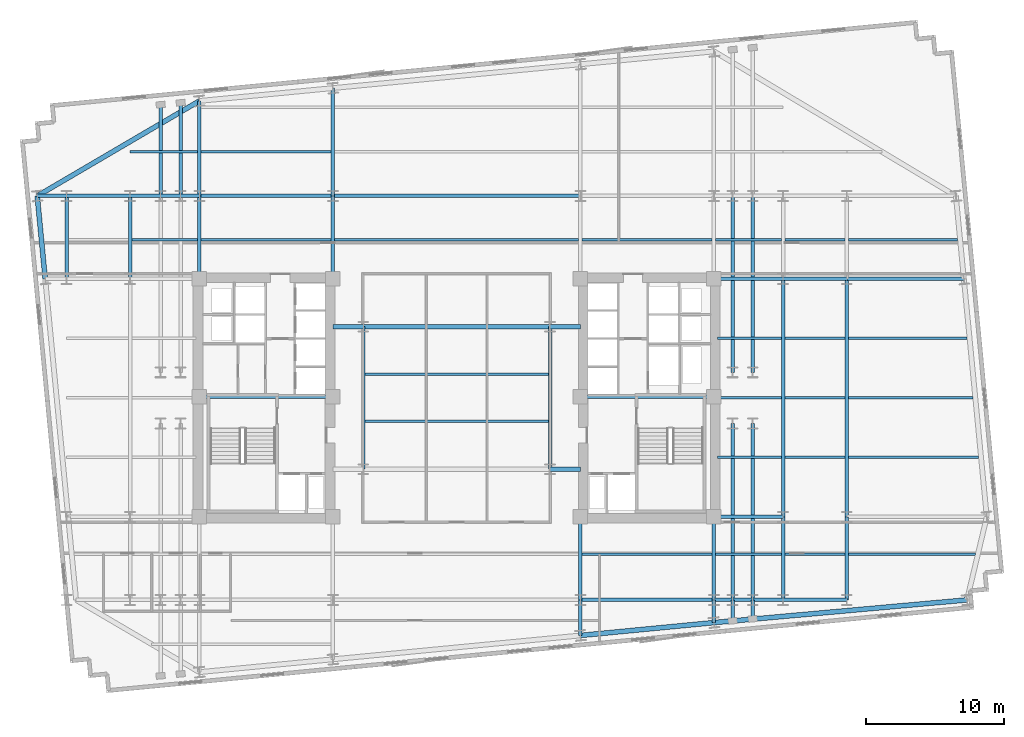
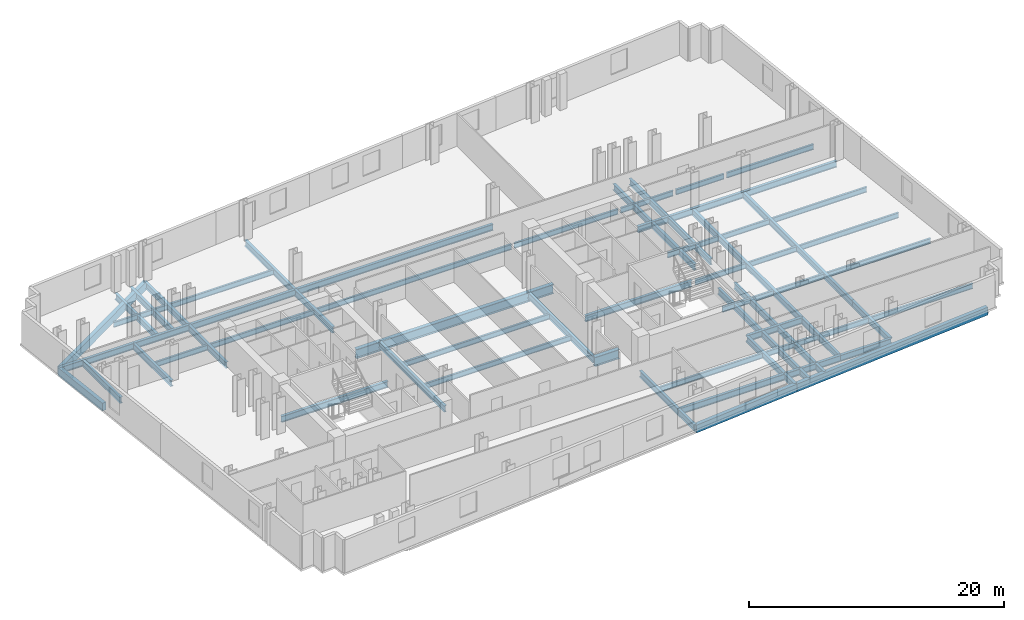
# One storey, part 2 of 10: 70 beams.
"""IFC4 building model written with IfcOpenShell, lengths in metres."""

import ifcopenshell
import ifcopenshell.guid

model = None  # the IFC model being written
_history = None  # IfcOwnerHistory: only IFC2X3 demands one
_inside = {}  # id of a spatial element -> (the spatial element, [elements in it])
_under = {}  # id of a project, library or spatial element -> (it, [spatial elements below it])
_declared = {}  # id of a project -> (the project, [libraries it declares])
_typed = {}  # id of a type object -> (the type object, [elements of that type])
_made_of = {}  # id of a material, layer set ... -> (it, [elements and type objects made of it])


def new_model(schema):
    """Start an empty IFC model of exactly this schema.

    Asked for "IFC4X3", IfcOpenShell would pick the latest addendum, in which some entities
    have other attributes; the version numbers below select the first issue.
    IFC2X3 requires an IfcOwnerHistory on every rooted entity: one is made here for all.
    """
    global model, _history
    if schema == "IFC4X3":
        model = ifcopenshell.file(schema_version=(4, 3, 0, 0))
    else:
        model = ifcopenshell.file(schema=schema)
    _inside.clear()
    _under.clear()
    _declared.clear()
    _typed.clear()
    _made_of.clear()
    _history = None
    if model.schema == "IFC2X3":
        org = make("IfcOrganization", Name="unknown")
        user = make(
            "IfcPersonAndOrganization",
            ThePerson=make("IfcPerson", FamilyName="unknown"),
            TheOrganization=org,
        )
        app = make(
            "IfcApplication",
            ApplicationDeveloper=org,
            Version="unknown",
            ApplicationFullName="unknown",
            ApplicationIdentifier="unknown",
        )
        _history = make(
            "IfcOwnerHistory",
            OwningUser=user,
            OwningApplication=app,
            ChangeAction="ADDED",
            CreationDate=0,
        )
    return model


def make(cls, **values):
    """One entity of the class cls with the attributes given. An attribute that is None is left unset."""
    return model.create_entity(
        cls, **{name: value for name, value in values.items() if value is not None}
    )


def rooted(cls, **values):
    """An entity with a GlobalId (a new one), such as an element, a storey or a relation."""
    return make(cls, GlobalId=ifcopenshell.guid.new(), OwnerHistory=_history, **values)


def si_unit(unit_type, name, prefix=None):
    """IfcSIUnit, for example si_unit("LENGTHUNIT", "METRE", prefix="MILLI")."""
    return make("IfcSIUnit", UnitType=unit_type, Prefix=prefix, Name=name)


def assignment(units):
    """IfcUnitAssignment: the units of a project."""
    return None if units is None else make("IfcUnitAssignment", Units=units)


def point(xyz):
    """IfcCartesianPoint."""
    return None if xyz is None else make("IfcCartesianPoint", Coordinates=xyz)


def direction(xyz):
    """IfcDirection."""
    return None if xyz is None else make("IfcDirection", DirectionRatios=xyz)


def frame(location, z_axis=None, x_axis=None):
    """IfcAxis2Placement3D, a coordinate frame: its origin and axes. An axis left out is left unset."""
    return make(
        "IfcAxis2Placement3D",
        Location=point(location),
        Axis=direction(z_axis),
        RefDirection=direction(x_axis),
    )


def frame_2d(location, x_axis=None):
    """IfcAxis2Placement2D, a coordinate frame in the plane: its origin and x axis."""
    return make(
        "IfcAxis2Placement2D", Location=point(location), RefDirection=direction(x_axis)
    )


def origin():
    """The frame at (0, 0, 0) with its axes left unset."""
    return frame((0.0, 0.0, 0.0))


def origin_2d():
    """The frame at (0, 0) in the plane with its x axis left unset."""
    return frame_2d((0.0, 0.0))


def place(relative_to, where):
    """IfcLocalPlacement: puts the frame where relative to a parent placement (None: the world)."""
    return make(
        "IfcLocalPlacement", PlacementRelTo=relative_to, RelativePlacement=where
    )


def context(
    kind, dimensions, precision=None, world=None, true_north=None, identifier=None
):
    """IfcGeometricRepresentationContext, for example the 3D "Model" context."""
    return make(
        "IfcGeometricRepresentationContext",
        ContextIdentifier=identifier,
        ContextType=kind,
        CoordinateSpaceDimension=dimensions,
        Precision=precision,
        WorldCoordinateSystem=world,
        TrueNorth=true_north,
    )


def subcontext(parent, identifier, kind, view, scale=None):
    """IfcGeometricRepresentationSubContext, for example "Body" below "Model"."""
    return make(
        "IfcGeometricRepresentationSubContext",
        ContextIdentifier=identifier,
        ContextType=kind,
        ParentContext=parent,
        TargetScale=scale,
        TargetView=view,
    )


def project(units=None, contexts=None):
    """IfcProject with its units and contexts."""
    return rooted(
        "IfcProject",
        Name="project",
        RepresentationContexts=contexts,
        UnitsInContext=assignment(units),
    )


def spatial(cls, under=None, at=None, **own):
    """A site, building, storey or space (cls), placed at a placement, below another one or the project."""
    s = rooted(cls, ObjectPlacement=at, **own)
    if under is not None:
        _under.setdefault(under.id(), (under, []))[1].append(s)
    return s


def profile(cls, at=None, kind="AREA", **sizes):
    """A parametric profile (cls). Its sizes go by their IFC names, for example OverallWidth=200.0."""
    return make(cls, ProfileType=kind, Position=at, **sizes)


def rectangle(**sizes):
    """IfcRectangleProfileDef."""
    return profile("IfcRectangleProfileDef", **sizes)


def i_section(**sizes):
    """IfcIShapeProfileDef."""
    return profile("IfcIShapeProfileDef", **sizes)


def extrude(swept, where, along, depth):
    """IfcExtrudedAreaSolid: the profile swept, set in the frame where, extruded along a direction by depth."""
    return make(
        "IfcExtrudedAreaSolid",
        SweptArea=swept,
        Position=where,
        ExtrudedDirection=direction(along),
        Depth=depth,
    )


def shape(context_of_items, identifier, shape_type, items):
    """IfcShapeRepresentation: the items that make up one representation, for example the "Body"."""
    return make(
        "IfcShapeRepresentation",
        ContextOfItems=context_of_items,
        RepresentationIdentifier=identifier,
        RepresentationType=shape_type,
        Items=items,
    )


def material(Name=None, Category=None):
    """IfcMaterial."""
    return make("IfcMaterial", Name=Name, Category=Category)


def material_profile(
    of_material, cross_section, Name=None, Category=None, Priority=None
):
    """IfcMaterialProfile: a cross section and its material."""
    return make(
        "IfcMaterialProfile",
        Name=Name,
        Material=of_material,
        Profile=cross_section,
        Priority=Priority,
        Category=Category,
    )


def profile_set(profiles, Name=None, composite=None):
    """IfcMaterialProfileSet."""
    return make(
        "IfcMaterialProfileSet",
        Name=Name,
        MaterialProfiles=profiles,
        CompositeProfile=composite,
    )


def made_of(thing, what):
    """Note that an element or type object is made of a material, layer set ...; save() writes the relation."""
    if what is not None:
        _made_of.setdefault(what.id(), (what, []))[1].append(thing)
    return thing


def type_object(cls, material=None, **own):
    """A type object (cls), such as IfcWallType, which elements share."""
    return made_of(rooted(cls, **own), material)


def element(
    cls,
    number,
    at=None,
    inside=None,
    cuts=None,
    type_object=None,
    material=None,
    context=None,
    identifier="Body",
    shape_type=None,
    held_by="IfcProductDefinitionShape",
    body=None,
    shapes=None,
    **own,
):
    """One element of the class cls, such as IfcWall. Its Tag is "e" and its number.

    at: its placement. inside: the storey or other place that contains it. cuts: it is an
    opening in that element (IfcRelVoidsElement). A single representation is given by context,
    identifier, shape_type and body (its items); several are given by shapes. held_by: the class
    of the entity that holds the representations. save() writes the other relations.
    """
    e = rooted(cls, Tag="e%d" % number, ObjectPlacement=at, **own)
    if body is not None:
        shapes = [shape(context, identifier, shape_type, body)]
    if shapes is not None:
        e.Representation = make(held_by, Representations=shapes)
    if inside is not None:
        _inside.setdefault(inside.id(), (inside, []))[1].append(e)
    if cuts is not None:
        rooted(
            "IfcRelVoidsElement", RelatingBuildingElement=cuts, RelatedOpeningElement=e
        )
    if type_object is not None:
        _typed.setdefault(type_object.id(), (type_object, []))[1].append(e)
    return made_of(e, material)


def aggregate(whole, parts):
    """IfcRelAggregates: a whole, such as a stair, and the parts it consists of."""
    return rooted("IfcRelAggregates", RelatingObject=whole, RelatedObjects=parts)


def save(model, path):
    """Write the relations noted so far, then the file.

    IfcRelAggregates (storeys below a building ...), IfcRelContainedInSpatialStructure (elements
    in a storey), IfcRelDefinesByType, IfcRelAssociatesMaterial and IfcRelDeclares: one each for
    every whole, place, type object, material and project.
    """
    for whole, parts in _under.values():
        aggregate(whole, parts)
    for where, things in _inside.values():
        rooted(
            "IfcRelContainedInSpatialStructure",
            RelatedElements=things,
            RelatingStructure=where,
        )
    for kind, things in _typed.values():
        rooted("IfcRelDefinesByType", RelatedObjects=things, RelatingType=kind)
    for what, things in _made_of.values():
        rooted("IfcRelAssociatesMaterial", RelatedObjects=things, RelatingMaterial=what)
    for by, libraries in _declared.values():
        rooted("IfcRelDeclares", RelatingContext=by, RelatedDefinitions=libraries)
    model.write(path)


model = new_model("IFC4")

# Units and contexts
model_context = context("Model", 3, precision=1e-05, world=origin(), true_north=direction((0.0, 1.0)))
body_context = subcontext(model_context, "Body", "Model", "MODEL_VIEW")
ifc_project = project(units=[si_unit("LENGTHUNIT", "METRE"), si_unit("AREAUNIT", "SQUARE_METRE"), si_unit("VOLUMEUNIT", "CUBIC_METRE"), si_unit("PLANEANGLEUNIT", "RADIAN"), si_unit("MASSUNIT", "GRAM", prefix="KILO")], contexts=[model_context])

# Site, building, storey
site_placement = place(None, origin())
site = spatial("IfcSite", under=ifc_project, at=site_placement, CompositionType="ELEMENT")
building_placement = place(site_placement, origin())
building = spatial("IfcBuilding", under=site, at=building_placement, Name="Velakula Bourse", CompositionType="ELEMENT")
storey_placement = place(building_placement, frame((0.0, 0.0, 108.699951171875)))
storey = spatial("IfcBuildingStorey", under=building, at=storey_placement, Name="L29", CompositionType="ELEMENT", Elevation=108.699951171875)

# Beams
ifc_material_1 = material(Name="Steel IS 2062 Grade 350 (E350)", Category="steel")
ifc_material_profile_1 = material_profile(ifc_material_1, i_section(OverallWidth=0.25, OverallDepth=0.60009765625, WebThickness=0.01171875, FlangeThickness=0.023681640625, at=origin_2d()), Name="Steel IS 2062 Grade 350 (E350)")
ifc_profile_set_1 = profile_set([ifc_material_profile_1], Name="Steel IS 2062 Grade 350 (E350)")
beam_type_1 = type_object("IfcBeamType", Name="BM-GRD-600H", PredefinedType="BEAM", material=ifc_profile_set_1)
for number, where, z_axis, x_axis, name in (
    (1, (-18.60009765625, 0.10009765625, -0.47998046875), (1.0, 0.0, 0.0), (0.0, 1.0, 0.0), "L29 Primary Backbone Girder CRW-M"),
    (2, (8.949951171875, 0.10009765625, -0.47998046875), (1.0, 0.0, 0.0), (0.0, 1.0, 0.0), "L29 Primary Backbone Girder CRE-M"),
):
    element("IfcBeam", number, at=place(storey_placement, frame(where, z_axis=z_axis, x_axis=x_axis)), inside=storey, type_object=beam_type_1, Name=name, PredefinedType="BEAM", context=body_context, shape_type="SweptSolid", body=[
        extrude(i_section(OverallWidth=0.25, OverallDepth=0.60009765625, WebThickness=0.01171875, FlangeThickness=0.023681640625, at=origin_2d()), origin(), (0.0, 0.0, 1.0), 9.650146484375),
    ])
for number, where, z_axis, x_axis, name in (
    (3, (-6.75, -5.14990234375, -0.47998046875), (0.0, 1.0, 0.0), (-1.0, 0.0, 0.0), "L29 Primary Backbone Girder SPN-W"),
    (4, (6.75, -5.14990234375, -0.47998046875), (0.0, 1.0, 0.0), (-1.0, 0.0, 0.0), "L29 Primary Backbone Girder SPN-E"),
):
    element("IfcBeam", number, at=place(storey_placement, frame(where, z_axis=z_axis, x_axis=x_axis)), inside=storey, type_object=beam_type_1, Name=name, PredefinedType="BEAM", context=body_context, shape_type="SweptSolid", body=[
        extrude(i_section(OverallWidth=0.25, OverallDepth=0.60009765625, WebThickness=0.01171875, FlangeThickness=0.023681640625, at=origin_2d()), origin(), (0.0, 0.0, 1.0), 10.2998046875),
    ])
for number, where, z_axis, x_axis, name in (
    (5, (-18.60009765625, 8.60009765625, -0.47998046875), (0.0, 1.0, 0.0), (-1.0, 0.0, 0.0), "L29 Fulcrum Grid Girder FLC-WN"),
    (6, (-8.949951171875, 8.60009765625, -0.47998046875), (0.0, 1.0, 0.0), (-1.0, 0.0, 0.0), "L29 Fulcrum Grid Girder FLC-WCN"),
    (7, (8.949951171875, -14.60009765625, -0.47998046875), (0.0, 1.0, 0.0), (-1.0, 0.0, 0.0), "L29 Fulcrum Grid Girder FLC-ECS"),
    (8, (18.60009765625, -14.60009765625, -0.47998046875), (0.0, 1.0, 0.0), (-1.0, 0.0, 0.0), "L29 Fulcrum Grid Girder FLC-ES"),
):
    element("IfcBeam", number, at=place(storey_placement, frame(where, z_axis=z_axis, x_axis=x_axis)), inside=storey, type_object=beam_type_1, Name=name, PredefinedType="BEAM", context=body_context, shape_type="SweptSolid", body=[
        extrude(i_section(OverallWidth=0.25, OverallDepth=0.60009765625, WebThickness=0.01171875, FlangeThickness=0.023681640625, at=origin_2d()), origin(), (0.0, 0.0, 1.0), 6.0),
    ])
for number, where, z_axis, x_axis, name in (
    (9, (8.949951171875, -14.60009765625, -0.47998046875), (1.0, 0.0, 0.0), (0.0, 1.0, 0.0), "L29 Fulcrum Grid Girder FLC-S3"),
    (10, (-18.60009765625, 14.60009765625, -0.47998046875), (1.0, 0.0, 0.0), (0.0, 1.0, 0.0), "L29 Fulcrum Grid Girder FLC-N1"),
):
    element("IfcBeam", number, at=place(storey_placement, frame(where, z_axis=z_axis, x_axis=x_axis)), inside=storey, type_object=beam_type_1, Name=name, PredefinedType="BEAM", context=body_context, shape_type="SweptSolid", body=[
        extrude(i_section(OverallWidth=0.25, OverallDepth=0.60009765625, WebThickness=0.01171875, FlangeThickness=0.023681640625, at=origin_2d()), origin(), (0.0, 0.0, 1.0), 9.650146484375),
    ])
beam_1_placement = place(storey_placement, frame((-8.949951171875, 14.60009765625, -0.47998046875), z_axis=(1.0, 0.0, 0.0), x_axis=(0.0, 1.0, 0.0)))
element("IfcBeam", 11, at=beam_1_placement, inside=storey, type_object=beam_type_1, Name="L29 Fulcrum Grid Girder FLC-N2", PredefinedType="BEAM", context=body_context, shape_type="SweptSolid", body=[
    extrude(i_section(OverallWidth=0.25, OverallDepth=0.60009765625, WebThickness=0.01171875, FlangeThickness=0.023681640625, at=origin_2d()), origin(), (0.0, 0.0, 1.0), 17.89990234375),
])
for number, where, z_axis, x_axis, name in (
    (12, (19.949951171875, -14.60009765625, -0.47998046875), (0.0, 1.0, 0.0), (-1.0, 0.0, 0.0), "L29 Fulcrum Grid Girder FLC-PSE1"),
    (13, (19.949951171875, 1.85009765625, -0.47998046875), (0.0, 1.0, 0.0), (-1.0, 0.0, 0.0), "L29 Fulcrum Grid Girder FLC-PNE1"),
    (14, (21.39990234375, -14.60009765625, -0.47998046875), (0.0, 1.0, 0.0), (-1.0, 0.0, 0.0), "L29 Fulcrum Grid Girder FLC-PSE2"),
    (15, (21.39990234375, 1.85009765625, -0.47998046875), (0.0, 1.0, 0.0), (-1.0, 0.0, 0.0), "L29 Fulcrum Grid Girder FLC-PNE2"),
):
    element("IfcBeam", number, at=place(storey_placement, frame(where, z_axis=z_axis, x_axis=x_axis)), inside=storey, type_object=beam_type_1, Name=name, PredefinedType="BEAM", context=body_context, shape_type="SweptSolid", body=[
        extrude(i_section(OverallWidth=0.25, OverallDepth=0.60009765625, WebThickness=0.01171875, FlangeThickness=0.023681640625, at=origin_2d()), origin(), (0.0, 0.0, 1.0), 12.75),
    ])
beam_2_placement = place(storey_placement, frame((-23.60009765625, 14.60009765625, -0.47998046875), z_axis=(1.0, 0.0, 0.0), x_axis=(0.0, 1.0, 0.0)))
element("IfcBeam", 16, at=beam_2_placement, inside=storey, type_object=beam_type_1, Name="L29 Fulcrum Grid Girder MWG-WN2", PredefinedType="BEAM", context=body_context, shape_type="SweptSolid", body=[
    extrude(i_section(OverallWidth=0.25, OverallDepth=0.60009765625, WebThickness=0.01171875, FlangeThickness=0.023681640625, at=origin_2d()), origin(), (0.0, 0.0, 1.0), 5.0),
])
beam_3_placement = place(storey_placement, frame((-23.60009765625, 8.60009765625, -0.47998046875), z_axis=(0.0, 1.0, 0.0), x_axis=(-1.0, 0.0, 0.0)))
element("IfcBeam", 17, at=beam_3_placement, inside=storey, type_object=beam_type_1, Name="L29 Fulcrum Grid Girder MWG-WNS3", PredefinedType="BEAM", context=body_context, shape_type="SweptSolid", body=[
    extrude(i_section(OverallWidth=0.25, OverallDepth=0.60009765625, WebThickness=0.01171875, FlangeThickness=0.023681640625, at=origin_2d()), origin(), (0.0, 0.0, 1.0), 6.0),
])
for number, where, z_axis, x_axis, name in (
    (18, (18.60009765625, -14.60009765625, -0.47998046875), (1.0, 0.0, 0.0), (0.0, 1.0, 0.0), "L29 Fulcrum Grid Girder MWG-ES1"),
    (19, (18.60009765625, -8.60009765625, -0.47998046875), (1.0, 0.0, 0.0), (0.0, 1.0, 0.0), "L29 Fulcrum Grid Girder MWG-ES2"),
    (20, (18.60009765625, 8.60009765625, -0.47998046875), (1.0, 0.0, 0.0), (0.0, 1.0, 0.0), "L29 Fulcrum Grid Girder MWG-EN1"),
):
    element("IfcBeam", number, at=place(storey_placement, frame(where, z_axis=z_axis, x_axis=x_axis)), inside=storey, type_object=beam_type_1, Name=name, PredefinedType="BEAM", context=body_context, shape_type="SweptSolid", body=[
        extrude(i_section(OverallWidth=0.25, OverallDepth=0.60009765625, WebThickness=0.01171875, FlangeThickness=0.023681640625, at=origin_2d()), origin(), (0.0, 0.0, 1.0), 5.0),
    ])
beam_4_placement = place(storey_placement, frame((23.60009765625, -14.60009765625, -0.47998046875), z_axis=(0.0, 1.0, 0.0), x_axis=(-1.0, 0.0, 0.0)))
element("IfcBeam", 21, at=beam_4_placement, inside=storey, type_object=beam_type_1, Name="L29 Fulcrum Grid Girder MWG-ENS1", PredefinedType="BEAM", context=body_context, shape_type="SweptSolid", body=[
    extrude(i_section(OverallWidth=0.25, OverallDepth=0.60009765625, WebThickness=0.01171875, FlangeThickness=0.023681640625, at=origin_2d()), origin(), (0.0, 0.0, 1.0), 6.0),
])
beam_5_placement = place(storey_placement, frame((23.60009765625, -8.60009765625, -0.47998046875), z_axis=(0.0, 1.0, 0.0), x_axis=(-1.0, 0.0, 0.0)))
element("IfcBeam", 22, at=beam_5_placement, inside=storey, type_object=beam_type_1, Name="L29 Fulcrum Grid Girder MWG-ENS2", PredefinedType="BEAM", context=body_context, shape_type="SweptSolid", body=[
    extrude(i_section(OverallWidth=0.25, OverallDepth=0.60009765625, WebThickness=0.01171875, FlangeThickness=0.023681640625, at=origin_2d()), origin(), (0.0, 0.0, 1.0), 17.2001953125),
])
beam_6_placement = place(storey_placement, frame((-28.199951171875, 14.60009765625, -0.47998046875), z_axis=(1.0, 0.0, 0.0), x_axis=(0.0, 1.0, 0.0)))
element("IfcBeam", 23, at=beam_6_placement, inside=storey, type_object=beam_type_1, Name="L29 Fulcrum Grid Girder WNG-WN2", PredefinedType="BEAM", context=body_context, shape_type="SweptSolid", body=[
    extrude(i_section(OverallWidth=0.25, OverallDepth=0.60009765625, WebThickness=0.01171875, FlangeThickness=0.023681640625, at=origin_2d()), origin(), (0.0, 0.0, 1.0), 4.599853515625),
])
beam_7_placement = place(storey_placement, frame((-28.199951171875, 8.60009765625, -0.47998046875), z_axis=(0.0, 1.0, 0.0), x_axis=(-1.0, 0.0, 0.0)))
element("IfcBeam", 24, at=beam_7_placement, inside=storey, type_object=beam_type_1, Name="L29 Fulcrum Grid Girder WNG-WNS3", PredefinedType="BEAM", context=body_context, shape_type="SweptSolid", body=[
    extrude(i_section(OverallWidth=0.25, OverallDepth=0.60009765625, WebThickness=0.01171875, FlangeThickness=0.023681640625, at=origin_2d()), origin(), (0.0, 0.0, 1.0), 6.0),
])
for number, where, z_axis, x_axis, name in (
    (25, (23.60009765625, -14.60009765625, -0.47998046875), (1.0, 0.0, 0.0), (0.0, 1.0, 0.0), "L29 Fulcrum Grid Girder WNG-ES1"),
    (26, (23.60009765625, 8.60009765625, -0.47998046875), (1.0, 0.0, 0.0), (0.0, 1.0, 0.0), "L29 Fulcrum Grid Girder WNG-EN1"),
):
    element("IfcBeam", number, at=place(storey_placement, frame(where, z_axis=z_axis, x_axis=x_axis)), inside=storey, type_object=beam_type_1, Name=name, PredefinedType="BEAM", context=body_context, shape_type="SweptSolid", body=[
        extrude(i_section(OverallWidth=0.25, OverallDepth=0.60009765625, WebThickness=0.01171875, FlangeThickness=0.023681640625, at=origin_2d()), origin(), (0.0, 0.0, 1.0), 4.599853515625),
    ])
beam_8_placement = place(storey_placement, frame((28.199951171875, -14.60009765625, -0.47998046875), z_axis=(0.0, 1.0, 0.0), x_axis=(-1.0, 0.0, 0.0)))
element("IfcBeam", 27, at=beam_8_placement, inside=storey, type_object=beam_type_1, Name="L29 Fulcrum Grid Girder WNG-ENS1", PredefinedType="BEAM", context=body_context, shape_type="SweptSolid", body=[
    extrude(i_section(OverallWidth=0.25, OverallDepth=0.60009765625, WebThickness=0.01171875, FlangeThickness=0.023681640625, at=origin_2d()), origin(), (0.0, 0.0, 1.0), 6.0),
])
beam_9_placement = place(storey_placement, frame((28.199951171875, -8.60009765625, -0.47998046875), z_axis=(0.0, 1.0, 0.0), x_axis=(-1.0, 0.0, 0.0)))
element("IfcBeam", 28, at=beam_9_placement, inside=storey, type_object=beam_type_1, Name="L29 Fulcrum Grid Girder WNG-ENS2", PredefinedType="BEAM", context=body_context, shape_type="SweptSolid", body=[
    extrude(i_section(OverallWidth=0.25, OverallDepth=0.60009765625, WebThickness=0.01171875, FlangeThickness=0.023681640625, at=origin_2d()), origin(), (0.0, 0.0, 1.0), 17.2001953125),
])
beam_10_placement = place(storey_placement, frame((8.949951171875, -14.60009765625, -0.47998046875), z_axis=(0.0, -1.0, 0.0), x_axis=(1.0, 0.0, 0.0)))
element("IfcBeam", 29, at=beam_10_placement, inside=storey, type_object=beam_type_1, Name="L29 Perimeter Tie Girder S3", PredefinedType="BEAM", context=body_context, shape_type="SweptSolid", body=[
    extrude(i_section(OverallWidth=0.25, OverallDepth=0.60009765625, WebThickness=0.01171875, FlangeThickness=0.023681640625, at=origin_2d()), origin(), (0.0, 0.0, 1.0), 2.568359375),
])
beam_11_placement = place(storey_placement, frame((18.60009765625, -14.60009765625, -0.47998046875), z_axis=(0.0, -1.0, 0.0), x_axis=(1.0, 0.0, 0.0)))
element("IfcBeam", 30, at=beam_11_placement, inside=storey, type_object=beam_type_1, Name="L29 Perimeter Tie Girder S4", PredefinedType="BEAM", context=body_context, shape_type="SweptSolid", body=[
    extrude(i_section(OverallWidth=0.25, OverallDepth=0.60009765625, WebThickness=0.01171875, FlangeThickness=0.023681640625, at=origin_2d()), origin(), (0.0, 0.0, 1.0), 1.63916015625),
])
beam_12_placement = place(storey_placement, frame((-18.60009765625, 14.60009765625, -0.47998046875), z_axis=(0.0, 1.0, 0.0), x_axis=(-1.0, 0.0, 0.0)))
element("IfcBeam", 31, at=beam_12_placement, inside=storey, type_object=beam_type_1, Name="L29 Perimeter Tie Girder N1", PredefinedType="BEAM", context=body_context, shape_type="SweptSolid", body=[
    extrude(i_section(OverallWidth=0.25, OverallDepth=0.60009765625, WebThickness=0.01171875, FlangeThickness=0.023681640625, at=origin_2d()), origin(), (0.0, 0.0, 1.0), 6.868896484375),
])
beam_13_placement = place(storey_placement, frame((-8.949951171875, 14.60009765625, -0.47998046875), z_axis=(0.0, 1.0, 0.0), x_axis=(-1.0, 0.0, 0.0)))
element("IfcBeam", 32, at=beam_13_placement, inside=storey, type_object=beam_type_1, Name="L29 Perimeter Tie Girder N2", PredefinedType="BEAM", context=body_context, shape_type="SweptSolid", body=[
    extrude(i_section(OverallWidth=0.25, OverallDepth=0.60009765625, WebThickness=0.01171875, FlangeThickness=0.023681640625, at=origin_2d()), origin(), (0.0, 0.0, 1.0), 7.798095703125),
])
beam_14_placement = place(storey_placement, frame((-28.199951171875, 14.60009765625, -0.47998046875), z_axis=(-1.0, 0.0, 0.0), x_axis=(0.0, -1.0, 0.0)))
element("IfcBeam", 33, at=beam_14_placement, inside=storey, type_object=beam_type_1, Name="L29 Perimeter Tie Girder W4", PredefinedType="BEAM", context=body_context, shape_type="SweptSolid", body=[
    extrude(i_section(OverallWidth=0.25, OverallDepth=0.60009765625, WebThickness=0.01171875, FlangeThickness=0.023681640625, at=origin_2d()), origin(), (0.0, 0.0, 1.0), 2.119873046875),
])
beam_15_placement = place(storey_placement, frame((28.199951171875, 8.60009765625, -0.47998046875), z_axis=(1.0, 0.0, 0.0), x_axis=(0.0, 1.0, 0.0)))
element("IfcBeam", 34, at=beam_15_placement, inside=storey, type_object=beam_type_1, Name="L29 Perimeter Tie Girder E3", PredefinedType="BEAM", context=body_context, shape_type="SweptSolid", body=[
    extrude(i_section(OverallWidth=0.25, OverallDepth=0.60009765625, WebThickness=0.01171875, FlangeThickness=0.023681640625, at=origin_2d()), origin(), (0.0, 0.0, 1.0), 8.463623046875),
])
beam_16_placement = place(storey_placement, frame((19.949951171875, -14.60009765625, -0.47998046875), z_axis=(0.0, -1.0, 0.0), x_axis=(1.0, 0.0, 0.0)))
element("IfcBeam", 35, at=beam_16_placement, inside=storey, type_object=beam_type_1, Name="L29 Perimeter Tie Girder P03", PredefinedType="BEAM", context=body_context, shape_type="SweptSolid", body=[
    extrude(i_section(OverallWidth=0.25, OverallDepth=0.60009765625, WebThickness=0.01171875, FlangeThickness=0.023681640625, at=origin_2d()), origin(), (0.0, 0.0, 1.0), 1.509033203125),
])
beam_17_placement = place(storey_placement, frame((21.39990234375, -14.60009765625, -0.47998046875), z_axis=(0.0, -1.0, 0.0), x_axis=(1.0, 0.0, 0.0)))
element("IfcBeam", 36, at=beam_17_placement, inside=storey, type_object=beam_type_1, Name="L29 Perimeter Tie Girder P04", PredefinedType="BEAM", context=body_context, shape_type="SweptSolid", body=[
    extrude(i_section(OverallWidth=0.25, OverallDepth=0.60009765625, WebThickness=0.01171875, FlangeThickness=0.023681640625, at=origin_2d()), origin(), (0.0, 0.0, 1.0), 1.369384765625),
])
beam_18_placement = place(storey_placement, frame((-21.39990234375, 14.60009765625, -0.47998046875), z_axis=(0.0, 1.0, 0.0), x_axis=(-1.0, 0.0, 0.0)))
element("IfcBeam", 37, at=beam_18_placement, inside=storey, type_object=beam_type_1, Name="L29 Perimeter Tie Girder P05", PredefinedType="BEAM", context=body_context, shape_type="SweptSolid", body=[
    extrude(i_section(OverallWidth=0.25, OverallDepth=0.60009765625, WebThickness=0.01171875, FlangeThickness=0.023681640625, at=origin_2d()), origin(), (0.0, 0.0, 1.0), 6.59912109375),
])
beam_19_placement = place(storey_placement, frame((-19.949951171875, 14.60009765625, -0.47998046875), z_axis=(0.0, 1.0, 0.0), x_axis=(-1.0, 0.0, 0.0)))
element("IfcBeam", 38, at=beam_19_placement, inside=storey, type_object=beam_type_1, Name="L29 Perimeter Tie Girder P06", PredefinedType="BEAM", context=body_context, shape_type="SweptSolid", body=[
    extrude(i_section(OverallWidth=0.25, OverallDepth=0.60009765625, WebThickness=0.01171875, FlangeThickness=0.023681640625, at=origin_2d()), origin(), (0.0, 0.0, 1.0), 6.73876953125),
])
ifc_material_profile_2 = material_profile(ifc_material_1, i_section(OverallWidth=0.35009765625, OverallDepth=0.89990234375, WebThickness=0.02001953125, FlangeThickness=0.031982421875, at=origin_2d()), Name="Steel IS 2062 Grade 350 (E350)")
ifc_profile_set_2 = profile_set([ifc_material_profile_2], Name="Steel IS 2062 Grade 350 (E350)")
beam_type_2 = type_object("IfcBeamType", Name="BM-LNK-900", PredefinedType="BEAM", material=ifc_profile_set_2)
for number, where, z_axis, x_axis, name in (
    (39, (6.75, -5.14990234375, -0.6298828125), (1.0, 0.0, 0.0), (0.0, 1.0, 0.0), "L29 Primary Backbone Girder LNK-S3"),
    (40, (-8.949951171875, 5.14990234375, -0.6298828125), (1.0, 0.0, 0.0), (0.0, 1.0, 0.0), "L29 Primary Backbone Girder LNK-N1"),
):
    element("IfcBeam", number, at=place(storey_placement, frame(where, z_axis=z_axis, x_axis=x_axis)), inside=storey, type_object=beam_type_2, Name=name, PredefinedType="BEAM", context=body_context, shape_type="SweptSolid", body=[
        extrude(i_section(OverallWidth=0.35009765625, OverallDepth=0.89990234375, WebThickness=0.02001953125, FlangeThickness=0.031982421875, at=origin_2d()), origin(), (0.0, 0.0, 1.0), 2.199951171875),
    ])
beam_20_placement = place(storey_placement, frame((-6.75, 5.14990234375, -0.6298828125), z_axis=(1.0, 0.0, 0.0), x_axis=(0.0, 1.0, 0.0)))
element("IfcBeam", 41, at=beam_20_placement, inside=storey, type_object=beam_type_2, Name="L29 Primary Backbone Girder LNK-N2", PredefinedType="BEAM", context=body_context, shape_type="SweptSolid", body=[
    extrude(i_section(OverallWidth=0.35009765625, OverallDepth=0.89990234375, WebThickness=0.02001953125, FlangeThickness=0.031982421875, at=origin_2d()), origin(), (0.0, 0.0, 1.0), 13.5),
])
beam_21_placement = place(storey_placement, frame((6.75, 5.14990234375, -0.6298828125), z_axis=(1.0, 0.0, 0.0), x_axis=(0.0, 1.0, 0.0)))
element("IfcBeam", 42, at=beam_21_placement, inside=storey, type_object=beam_type_2, Name="L29 Primary Backbone Girder LNK-N3", PredefinedType="BEAM", context=body_context, shape_type="SweptSolid", body=[
    extrude(i_section(OverallWidth=0.35009765625, OverallDepth=0.89990234375, WebThickness=0.02001953125, FlangeThickness=0.031982421875, at=origin_2d()), origin(), (0.0, 0.0, 1.0), 2.199951171875),
])
ifc_material_profile_3 = material_profile(ifc_material_1, i_section(OverallWidth=0.179931640625, OverallDepth=0.5, WebThickness=0.01025390625, FlangeThickness=0.01708984375, at=origin_2d()), Name="Steel IS 2062 Grade 350 (E350)")
ifc_profile_set_3 = profile_set([ifc_material_profile_3], Name="Steel IS 2062 Grade 350 (E350)")
beam_type_3 = type_object("IfcBeamType", Name="JST-TWR-500", PredefinedType="JOIST", material=ifc_profile_set_3)
beam_22_placement = place(storey_placement, frame((9.074951171875, -11.300048828125, -0.429931640625), z_axis=(1.0, 0.0, 0.0), x_axis=(0.0, 1.0, 0.0)))
element("IfcBeam", 43, at=beam_22_placement, inside=storey, type_object=beam_type_3, Name="L29 Trading Floor Composite Joist 08", PredefinedType="JOIST", context=body_context, shape_type="SweptSolid", body=[
    extrude(i_section(OverallWidth=0.179931640625, OverallDepth=0.5, WebThickness=0.01025390625, FlangeThickness=0.01708984375, at=origin_2d()), origin(), (0.0, 0.0, 1.0), 9.400146484375),
])
beam_23_placement = place(storey_placement, frame((18.72509765625, -11.300048828125, -0.429931640625), z_axis=(1.0, 0.0, 0.0), x_axis=(0.0, 1.0, 0.0)))
element("IfcBeam", 44, at=beam_23_placement, inside=storey, type_object=beam_type_3, Name="L29 Trading Floor Composite Joist 09", PredefinedType="JOIST", context=body_context, shape_type="SweptSolid", body=[
    extrude(i_section(OverallWidth=0.179931640625, OverallDepth=0.5, WebThickness=0.01025390625, FlangeThickness=0.01708984375, at=origin_2d()), origin(), (0.0, 0.0, 1.0), 4.75),
])
beam_24_placement = place(storey_placement, frame((23.72509765625, -11.300048828125, -0.429931640625), z_axis=(1.0, 0.0, 0.0), x_axis=(0.0, 1.0, 0.0)))
element("IfcBeam", 45, at=beam_24_placement, inside=storey, type_object=beam_type_3, Name="L29 Trading Floor Composite Joist 10", PredefinedType="JOIST", context=body_context, shape_type="SweptSolid", body=[
    extrude(i_section(OverallWidth=0.179931640625, OverallDepth=0.5, WebThickness=0.01025390625, FlangeThickness=0.01708984375, at=origin_2d()), origin(), (0.0, 0.0, 1.0), 4.349853515625),
])
beam_25_placement = place(storey_placement, frame((28.324951171875, -11.300048828125, -0.429931640625), z_axis=(1.0, 0.0, 0.0), x_axis=(0.0, 1.0, 0.0)))
element("IfcBeam", 46, at=beam_25_placement, inside=storey, type_object=beam_type_3, Name="L29 Trading Floor Composite Joist 11", PredefinedType="JOIST", context=body_context, shape_type="SweptSolid", body=[
    extrude(i_section(OverallWidth=0.179931640625, OverallDepth=0.5, WebThickness=0.01025390625, FlangeThickness=0.01708984375, at=origin_2d()), origin(), (0.0, 0.0, 1.0), 9.170654296875),
])
beam_26_placement = place(storey_placement, frame((-23.47509765625, 11.449951171875, -0.429931640625), z_axis=(1.0, 0.0, 0.0), x_axis=(0.0, 1.0, 0.0)))
element("IfcBeam", 47, at=beam_26_placement, inside=storey, type_object=beam_type_3, Name="L29 Trading Floor Composite Joist 13", PredefinedType="JOIST", context=body_context, shape_type="SweptSolid", body=[
    extrude(i_section(OverallWidth=0.179931640625, OverallDepth=0.5, WebThickness=0.01025390625, FlangeThickness=0.01708984375, at=origin_2d()), origin(), (0.0, 0.0, 1.0), 4.75),
])
beam_27_placement = place(storey_placement, frame((-18.47509765625, 11.449951171875, -0.429931640625), z_axis=(1.0, 0.0, 0.0), x_axis=(0.0, 1.0, 0.0)))
element("IfcBeam", 48, at=beam_27_placement, inside=storey, type_object=beam_type_3, Name="L29 Trading Floor Composite Joist 14", PredefinedType="JOIST", context=body_context, shape_type="SweptSolid", body=[
    extrude(i_section(OverallWidth=0.179931640625, OverallDepth=0.5, WebThickness=0.01025390625, FlangeThickness=0.01708984375, at=origin_2d()), origin(), (0.0, 0.0, 1.0), 9.400146484375),
])
beam_28_placement = place(storey_placement, frame((-8.824951171875, 11.449951171875, -0.429931640625), z_axis=(1.0, 0.0, 0.0), x_axis=(0.0, 1.0, 0.0)))
element("IfcBeam", 49, at=beam_28_placement, inside=storey, type_object=beam_type_3, Name="L29 Trading Floor Composite Joist 15", PredefinedType="JOIST", context=body_context, shape_type="SweptSolid", body=[
    extrude(i_section(OverallWidth=0.179931640625, OverallDepth=0.5, WebThickness=0.01025390625, FlangeThickness=0.01708984375, at=origin_2d()), origin(), (0.0, 0.0, 1.0), 17.64990234375),
])
beam_29_placement = place(storey_placement, frame((9.074951171875, 11.449951171875, -0.429931640625), z_axis=(1.0, 0.0, 0.0), x_axis=(0.0, 1.0, 0.0)))
element("IfcBeam", 50, at=beam_29_placement, inside=storey, type_object=beam_type_3, Name="L29 Trading Floor Composite Joist 16", PredefinedType="JOIST", context=body_context, shape_type="SweptSolid", body=[
    extrude(i_section(OverallWidth=0.179931640625, OverallDepth=0.5, WebThickness=0.01025390625, FlangeThickness=0.01708984375, at=origin_2d()), origin(), (0.0, 0.0, 1.0), 9.400146484375),
])
beam_30_placement = place(storey_placement, frame((18.72509765625, 11.449951171875, -0.429931640625), z_axis=(1.0, 0.0, 0.0), x_axis=(0.0, 1.0, 0.0)))
element("IfcBeam", 51, at=beam_30_placement, inside=storey, type_object=beam_type_3, Name="L29 Trading Floor Composite Joist 17", PredefinedType="JOIST", context=body_context, shape_type="SweptSolid", body=[
    extrude(i_section(OverallWidth=0.179931640625, OverallDepth=0.5, WebThickness=0.01025390625, FlangeThickness=0.01708984375, at=origin_2d()), origin(), (0.0, 0.0, 1.0), 4.75),
])
beam_31_placement = place(storey_placement, frame((23.72509765625, 11.449951171875, -0.429931640625), z_axis=(1.0, 0.0, 0.0), x_axis=(0.0, 1.0, 0.0)))
element("IfcBeam", 52, at=beam_31_placement, inside=storey, type_object=beam_type_3, Name="L29 Trading Floor Composite Joist 18", PredefinedType="JOIST", context=body_context, shape_type="SweptSolid", body=[
    extrude(i_section(OverallWidth=0.179931640625, OverallDepth=0.5, WebThickness=0.01025390625, FlangeThickness=0.01708984375, at=origin_2d()), origin(), (0.0, 0.0, 1.0), 4.349853515625),
])
beam_32_placement = place(storey_placement, frame((28.324951171875, 11.449951171875, -0.429931640625), z_axis=(1.0, 0.0, 0.0), x_axis=(0.0, 1.0, 0.0)))
element("IfcBeam", 53, at=beam_32_placement, inside=storey, type_object=beam_type_3, Name="L29 Trading Floor Composite Joist 19", PredefinedType="JOIST", context=body_context, shape_type="SweptSolid", body=[
    extrude(i_section(OverallWidth=0.179931640625, OverallDepth=0.5, WebThickness=0.01025390625, FlangeThickness=0.01708984375, at=origin_2d()), origin(), (0.0, 0.0, 1.0), 7.888427734375),
])
beam_33_placement = place(storey_placement, frame((-23.60009765625, 17.800048828125, -0.429931640625), z_axis=(1.0, 0.0, 0.0), x_axis=(0.0, 1.0, 0.0)))
element("IfcBeam", 54, at=beam_33_placement, inside=storey, type_object=beam_type_3, Name="L29 Trading Floor Composite Joist 20", PredefinedType="JOIST", context=body_context, shape_type="SweptSolid", body=[
    extrude(i_section(OverallWidth=0.179931640625, OverallDepth=0.5, WebThickness=0.01025390625, FlangeThickness=0.01708984375, at=origin_2d()), origin(), (0.0, 0.0, 1.0), 4.875),
])
beam_34_placement = place(storey_placement, frame((-18.47509765625, 17.800048828125, -0.429931640625), z_axis=(1.0, 0.0, 0.0), x_axis=(0.0, 1.0, 0.0)))
element("IfcBeam", 55, at=beam_34_placement, inside=storey, type_object=beam_type_3, Name="L29 Trading Floor Composite Joist 21", PredefinedType="JOIST", context=body_context, shape_type="SweptSolid", body=[
    extrude(i_section(OverallWidth=0.179931640625, OverallDepth=0.5, WebThickness=0.01025390625, FlangeThickness=0.01708984375, at=origin_2d()), origin(), (0.0, 0.0, 1.0), 9.400146484375),
])
for number, where, z_axis, x_axis, name in (
    (56, (-6.625, -1.699951171875, -0.429931640625), (1.0, 0.0, 0.0), (0.0, 1.0, 0.0), "L29 Trading Floor Composite Joist 31"),
    (57, (-6.625, 1.699951171875, -0.429931640625), (1.0, 0.0, 0.0), (0.0, 1.0, 0.0), "L29 Trading Floor Composite Joist 32"),
):
    element("IfcBeam", number, at=place(storey_placement, frame(where, z_axis=z_axis, x_axis=x_axis)), inside=storey, type_object=beam_type_3, Name=name, PredefinedType="JOIST", context=body_context, shape_type="SweptSolid", body=[
        extrude(i_section(OverallWidth=0.179931640625, OverallDepth=0.5, WebThickness=0.01025390625, FlangeThickness=0.01708984375, at=origin_2d()), origin(), (0.0, 0.0, 1.0), 13.25),
    ])
beam_35_placement = place(storey_placement, frame((18.85009765625, -4.300048828125, -0.429931640625), z_axis=(1.0, 0.0, 0.0), x_axis=(0.0, 1.0, 0.0)))
element("IfcBeam", 58, at=beam_35_placement, inside=storey, type_object=beam_type_3, Name="L29 Trading Floor Composite Joist 35", PredefinedType="JOIST", context=body_context, shape_type="SweptSolid", body=[
    extrude(i_section(OverallWidth=0.179931640625, OverallDepth=0.5, WebThickness=0.01025390625, FlangeThickness=0.01708984375, at=origin_2d()), origin(), (0.0, 0.0, 1.0), 4.625),
])
beam_36_placement = place(storey_placement, frame((23.72509765625, -4.300048828125, -0.429931640625), z_axis=(1.0, 0.0, 0.0), x_axis=(0.0, 1.0, 0.0)))
element("IfcBeam", 59, at=beam_36_placement, inside=storey, type_object=beam_type_3, Name="L29 Trading Floor Composite Joist 36", PredefinedType="JOIST", context=body_context, shape_type="SweptSolid", body=[
    extrude(i_section(OverallWidth=0.179931640625, OverallDepth=0.5, WebThickness=0.01025390625, FlangeThickness=0.01708984375, at=origin_2d()), origin(), (0.0, 0.0, 1.0), 4.349853515625),
])
beam_37_placement = place(storey_placement, frame((28.324951171875, -4.300048828125, -0.429931640625), z_axis=(1.0, 0.0, 0.0), x_axis=(0.0, 1.0, 0.0)))
element("IfcBeam", 60, at=beam_37_placement, inside=storey, type_object=beam_type_3, Name="L29 Trading Floor Composite Joist 37", PredefinedType="JOIST", context=body_context, shape_type="SweptSolid", body=[
    extrude(i_section(OverallWidth=0.179931640625, OverallDepth=0.5, WebThickness=0.01025390625, FlangeThickness=0.01708984375, at=origin_2d()), origin(), (0.0, 0.0, 1.0), 9.405029296875),
])
beam_38_placement = place(storey_placement, frame((18.85009765625, 0.0, -0.429931640625), z_axis=(1.0, 0.0, 0.0), x_axis=(0.0, 1.0, 0.0)))
element("IfcBeam", 61, at=beam_38_placement, inside=storey, type_object=beam_type_3, Name="L29 Trading Floor Composite Joist 40", PredefinedType="JOIST", context=body_context, shape_type="SweptSolid", body=[
    extrude(i_section(OverallWidth=0.179931640625, OverallDepth=0.5, WebThickness=0.01025390625, FlangeThickness=0.01708984375, at=origin_2d()), origin(), (0.0, 0.0, 1.0), 4.625),
])
beam_39_placement = place(storey_placement, frame((23.72509765625, 0.0, -0.429931640625), z_axis=(1.0, 0.0, 0.0), x_axis=(0.0, 1.0, 0.0)))
element("IfcBeam", 62, at=beam_39_placement, inside=storey, type_object=beam_type_3, Name="L29 Trading Floor Composite Joist 41", PredefinedType="JOIST", context=body_context, shape_type="SweptSolid", body=[
    extrude(i_section(OverallWidth=0.179931640625, OverallDepth=0.5, WebThickness=0.01025390625, FlangeThickness=0.01708984375, at=origin_2d()), origin(), (0.0, 0.0, 1.0), 4.349853515625),
])
beam_40_placement = place(storey_placement, frame((28.324951171875, 0.0, -0.429931640625), z_axis=(1.0, 0.0, 0.0), x_axis=(0.0, 1.0, 0.0)))
element("IfcBeam", 63, at=beam_40_placement, inside=storey, type_object=beam_type_3, Name="L29 Trading Floor Composite Joist 42", PredefinedType="JOIST", context=body_context, shape_type="SweptSolid", body=[
    extrude(i_section(OverallWidth=0.179931640625, OverallDepth=0.5, WebThickness=0.01025390625, FlangeThickness=0.01708984375, at=origin_2d()), origin(), (0.0, 0.0, 1.0), 8.990966796875),
])
beam_41_placement = place(storey_placement, frame((18.85009765625, 4.300048828125, -0.429931640625), z_axis=(1.0, 0.0, 0.0), x_axis=(0.0, 1.0, 0.0)))
element("IfcBeam", 64, at=beam_41_placement, inside=storey, type_object=beam_type_3, Name="L29 Trading Floor Composite Joist 45", PredefinedType="JOIST", context=body_context, shape_type="SweptSolid", body=[
    extrude(i_section(OverallWidth=0.179931640625, OverallDepth=0.5, WebThickness=0.01025390625, FlangeThickness=0.01708984375, at=origin_2d()), origin(), (0.0, 0.0, 1.0), 4.625),
])
beam_42_placement = place(storey_placement, frame((23.72509765625, 4.300048828125, -0.429931640625), z_axis=(1.0, 0.0, 0.0), x_axis=(0.0, 1.0, 0.0)))
element("IfcBeam", 65, at=beam_42_placement, inside=storey, type_object=beam_type_3, Name="L29 Trading Floor Composite Joist 46", PredefinedType="JOIST", context=body_context, shape_type="SweptSolid", body=[
    extrude(i_section(OverallWidth=0.179931640625, OverallDepth=0.5, WebThickness=0.01025390625, FlangeThickness=0.01708984375, at=origin_2d()), origin(), (0.0, 0.0, 1.0), 4.349853515625),
])
beam_43_placement = place(storey_placement, frame((28.324951171875, 4.300048828125, -0.429931640625), z_axis=(1.0, 0.0, 0.0), x_axis=(0.0, 1.0, 0.0)))
element("IfcBeam", 66, at=beam_43_placement, inside=storey, type_object=beam_type_3, Name="L29 Trading Floor Composite Joist 47", PredefinedType="JOIST", context=body_context, shape_type="SweptSolid", body=[
    extrude(i_section(OverallWidth=0.179931640625, OverallDepth=0.5, WebThickness=0.01025390625, FlangeThickness=0.01708984375, at=origin_2d()), origin(), (0.0, 0.0, 1.0), 8.576904296875),
])
ifc_material_2 = material(Name="Precast concrete M45 (fck 45 MPa)", Category="concrete")
ifc_material_profile_4 = material_profile(ifc_material_2, rectangle(XDim=0.35009765625, YDim=0.75, at=origin_2d()), Name="Precast concrete M45 (fck 45 MPa)")
ifc_profile_set_4 = profile_set([ifc_material_profile_4], Name="Precast concrete M45 (fck 45 MPa)")
beam_type_4 = type_object("IfcBeamType", Name="SPN-BRICK-750", PredefinedType="SPANDREL", material=ifc_profile_set_4)
beam_44_placement = place(storey_placement, frame((8.949951171875, -17.16845703125, -0.554931640625), z_axis=(0.99539623971, 0.095845323155, 0.0), x_axis=(-0.095845323155, 0.99539623971, 0.0)))
element("IfcBeam", 67, at=beam_44_placement, inside=storey, type_object=beam_type_4, Name="L29 Brick-Faced Precast Spandrel S3-S4", PredefinedType="SPANDREL", context=body_context, shape_type="SweptSolid", body=[
    extrude(rectangle(XDim=0.35009765625, YDim=0.75, at=origin_2d()), origin(), (0.0, 0.0, 1.0), 9.69482421875),
])
beam_45_placement = place(storey_placement, frame((-29.7421875, 8.60009765625, -0.554931640625), z_axis=(-0.095829714309, 0.995397742541, 0.0), x_axis=(-0.995397742541, -0.095829714309, 0.0)))
element("IfcBeam", 68, at=beam_45_placement, inside=storey, type_object=beam_type_4, Name="L29 Brick-Faced Precast Spandrel W3-W4", PredefinedType="SPANDREL", context=body_context, shape_type="SweptSolid", body=[
    extrude(rectangle(XDim=0.35009765625, YDim=0.75, at=origin_2d()), origin(), (0.0, 0.0, 1.0), 6.02783203125),
])
beam_46_placement = place(storey_placement, frame((18.60009765625, -16.2392578125, -0.554931640625), z_axis=(0.99600727708, 0.089272078527, 0.0), x_axis=(-0.089272078527, 0.99600727708, 0.0)))
element("IfcBeam", 69, at=beam_46_placement, inside=storey, type_object=beam_type_4, Name="L29 Brick-Faced Precast Spandrel S4-E1", PredefinedType="SPANDREL", context=body_context, shape_type="SweptSolid", body=[
    extrude(rectangle(XDim=0.35009765625, YDim=0.75, at=origin_2d()), origin(), (0.0, 0.0, 1.0), 18.361328125),
])
beam_47_placement = place(storey_placement, frame((-18.60009765625, 21.468994140625, -0.554931640625), z_axis=(-0.862739335169, -0.505648929151, 0.0), x_axis=(0.505648929151, -0.862739335169, 0.0)))
element("IfcBeam", 70, at=beam_47_placement, inside=storey, type_object=beam_type_4, Name="L29 Brick-Faced Precast Spandrel N1-W4", PredefinedType="SPANDREL", context=body_context, shape_type="SweptSolid", body=[
    extrude(rectangle(XDim=0.35009765625, YDim=0.75, at=origin_2d()), origin(), (0.0, 0.0, 1.0), 13.584228515625),
])

save(model, "model.ifc")
